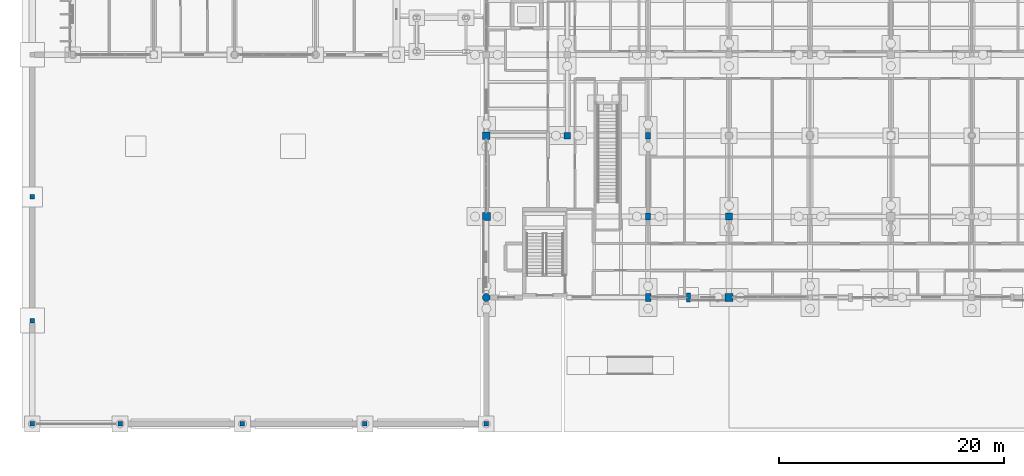
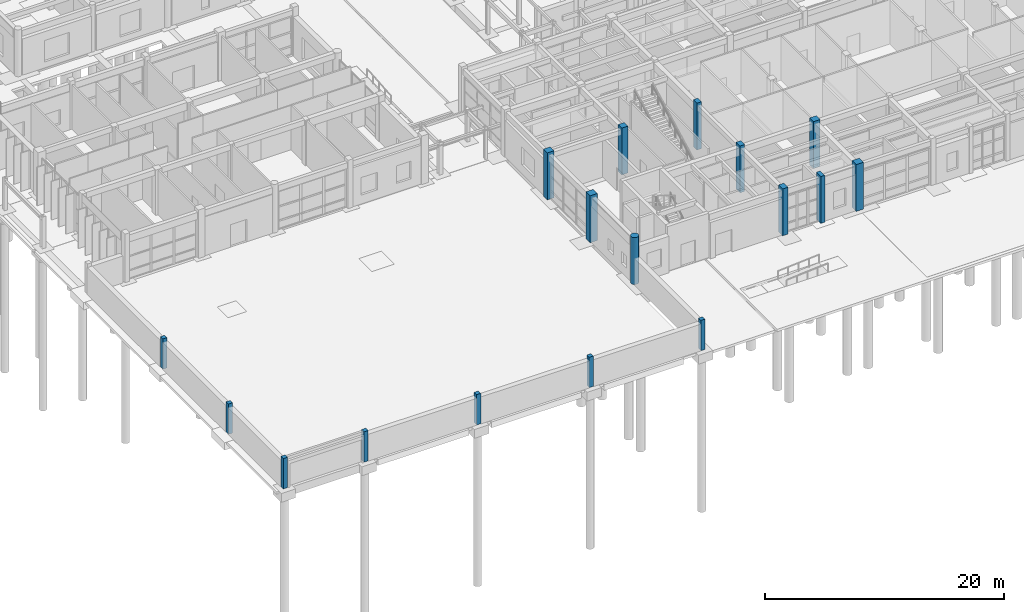
# One storey, part 14 of 143: 17 columns.
"""IFC4 building model written with IfcOpenShell, lengths in metres."""

import ifcopenshell
import ifcopenshell.guid

model = None  # the IFC model being written
_history = None  # IfcOwnerHistory: only IFC2X3 demands one
_inside = {}  # id of a spatial element -> (the spatial element, [elements in it])
_under = {}  # id of a project, library or spatial element -> (it, [spatial elements below it])
_declared = {}  # id of a project -> (the project, [libraries it declares])
_typed = {}  # id of a type object -> (the type object, [elements of that type])
_made_of = {}  # id of a material, layer set ... -> (it, [elements and type objects made of it])


def new_model(schema):
    """Start an empty IFC model of exactly this schema.

    Asked for "IFC4X3", IfcOpenShell would pick the latest addendum, in which some entities
    have other attributes; the version numbers below select the first issue.
    IFC2X3 requires an IfcOwnerHistory on every rooted entity: one is made here for all.
    """
    global model, _history
    if schema == "IFC4X3":
        model = ifcopenshell.file(schema_version=(4, 3, 0, 0))
    else:
        model = ifcopenshell.file(schema=schema)
    _inside.clear()
    _under.clear()
    _declared.clear()
    _typed.clear()
    _made_of.clear()
    _history = None
    if model.schema == "IFC2X3":
        org = make("IfcOrganization", Name="unknown")
        user = make(
            "IfcPersonAndOrganization",
            ThePerson=make("IfcPerson", FamilyName="unknown"),
            TheOrganization=org,
        )
        app = make(
            "IfcApplication",
            ApplicationDeveloper=org,
            Version="unknown",
            ApplicationFullName="unknown",
            ApplicationIdentifier="unknown",
        )
        _history = make(
            "IfcOwnerHistory",
            OwningUser=user,
            OwningApplication=app,
            ChangeAction="ADDED",
            CreationDate=0,
        )
    return model


def make(cls, **values):
    """One entity of the class cls with the attributes given. An attribute that is None is left unset."""
    return model.create_entity(
        cls, **{name: value for name, value in values.items() if value is not None}
    )


def rooted(cls, **values):
    """An entity with a GlobalId (a new one), such as an element, a storey or a relation."""
    return make(cls, GlobalId=ifcopenshell.guid.new(), OwnerHistory=_history, **values)


def si_unit(unit_type, name, prefix=None):
    """IfcSIUnit, for example si_unit("LENGTHUNIT", "METRE", prefix="MILLI")."""
    return make("IfcSIUnit", UnitType=unit_type, Prefix=prefix, Name=name)


def assignment(units):
    """IfcUnitAssignment: the units of a project."""
    return None if units is None else make("IfcUnitAssignment", Units=units)


def point(xyz):
    """IfcCartesianPoint."""
    return None if xyz is None else make("IfcCartesianPoint", Coordinates=xyz)


def direction(xyz):
    """IfcDirection."""
    return None if xyz is None else make("IfcDirection", DirectionRatios=xyz)


def frame(location, z_axis=None, x_axis=None):
    """IfcAxis2Placement3D, a coordinate frame: its origin and axes. An axis left out is left unset."""
    return make(
        "IfcAxis2Placement3D",
        Location=point(location),
        Axis=direction(z_axis),
        RefDirection=direction(x_axis),
    )


def frame_2d(location, x_axis=None):
    """IfcAxis2Placement2D, a coordinate frame in the plane: its origin and x axis."""
    return make(
        "IfcAxis2Placement2D", Location=point(location), RefDirection=direction(x_axis)
    )


def origin():
    """The frame at (0, 0, 0) with its axes left unset."""
    return frame((0.0, 0.0, 0.0))


def origin_2d():
    """The frame at (0, 0) in the plane with its x axis left unset."""
    return frame_2d((0.0, 0.0))


def place(relative_to, where):
    """IfcLocalPlacement: puts the frame where relative to a parent placement (None: the world)."""
    return make(
        "IfcLocalPlacement", PlacementRelTo=relative_to, RelativePlacement=where
    )


def context(
    kind, dimensions, precision=None, world=None, true_north=None, identifier=None
):
    """IfcGeometricRepresentationContext, for example the 3D "Model" context."""
    return make(
        "IfcGeometricRepresentationContext",
        ContextIdentifier=identifier,
        ContextType=kind,
        CoordinateSpaceDimension=dimensions,
        Precision=precision,
        WorldCoordinateSystem=world,
        TrueNorth=true_north,
    )


def subcontext(parent, identifier, kind, view, scale=None):
    """IfcGeometricRepresentationSubContext, for example "Body" below "Model"."""
    return make(
        "IfcGeometricRepresentationSubContext",
        ContextIdentifier=identifier,
        ContextType=kind,
        ParentContext=parent,
        TargetScale=scale,
        TargetView=view,
    )


def project(units=None, contexts=None):
    """IfcProject with its units and contexts."""
    return rooted(
        "IfcProject",
        Name="project",
        RepresentationContexts=contexts,
        UnitsInContext=assignment(units),
    )


def spatial(cls, under=None, at=None, **own):
    """A site, building, storey or space (cls), placed at a placement, below another one or the project."""
    s = rooted(cls, ObjectPlacement=at, **own)
    if under is not None:
        _under.setdefault(under.id(), (under, []))[1].append(s)
    return s


def profile(cls, at=None, kind="AREA", **sizes):
    """A parametric profile (cls). Its sizes go by their IFC names, for example OverallWidth=200.0."""
    return make(cls, ProfileType=kind, Position=at, **sizes)


def rectangle(**sizes):
    """IfcRectangleProfileDef."""
    return profile("IfcRectangleProfileDef", **sizes)


def circle(**sizes):
    """IfcCircleProfileDef."""
    return profile("IfcCircleProfileDef", **sizes)


def extrude(swept, where, along, depth):
    """IfcExtrudedAreaSolid: the profile swept, set in the frame where, extruded along a direction by depth."""
    return make(
        "IfcExtrudedAreaSolid",
        SweptArea=swept,
        Position=where,
        ExtrudedDirection=direction(along),
        Depth=depth,
    )


def shape(context_of_items, identifier, shape_type, items):
    """IfcShapeRepresentation: the items that make up one representation, for example the "Body"."""
    return make(
        "IfcShapeRepresentation",
        ContextOfItems=context_of_items,
        RepresentationIdentifier=identifier,
        RepresentationType=shape_type,
        Items=items,
    )


def material(Name=None, Category=None):
    """IfcMaterial."""
    return make("IfcMaterial", Name=Name, Category=Category)


def material_profile(
    of_material, cross_section, Name=None, Category=None, Priority=None
):
    """IfcMaterialProfile: a cross section and its material."""
    return make(
        "IfcMaterialProfile",
        Name=Name,
        Material=of_material,
        Profile=cross_section,
        Priority=Priority,
        Category=Category,
    )


def profile_set(profiles, Name=None, composite=None):
    """IfcMaterialProfileSet."""
    return make(
        "IfcMaterialProfileSet",
        Name=Name,
        MaterialProfiles=profiles,
        CompositeProfile=composite,
    )


def made_of(thing, what):
    """Note that an element or type object is made of a material, layer set ...; save() writes the relation."""
    if what is not None:
        _made_of.setdefault(what.id(), (what, []))[1].append(thing)
    return thing


def type_object(cls, material=None, **own):
    """A type object (cls), such as IfcWallType, which elements share."""
    return made_of(rooted(cls, **own), material)


def element(
    cls,
    number,
    at=None,
    inside=None,
    cuts=None,
    type_object=None,
    material=None,
    context=None,
    identifier="Body",
    shape_type=None,
    held_by="IfcProductDefinitionShape",
    body=None,
    shapes=None,
    **own,
):
    """One element of the class cls, such as IfcWall. Its Tag is "e" and its number.

    at: its placement. inside: the storey or other place that contains it. cuts: it is an
    opening in that element (IfcRelVoidsElement). A single representation is given by context,
    identifier, shape_type and body (its items); several are given by shapes. held_by: the class
    of the entity that holds the representations. save() writes the other relations.
    """
    e = rooted(cls, Tag="e%d" % number, ObjectPlacement=at, **own)
    if body is not None:
        shapes = [shape(context, identifier, shape_type, body)]
    if shapes is not None:
        e.Representation = make(held_by, Representations=shapes)
    if inside is not None:
        _inside.setdefault(inside.id(), (inside, []))[1].append(e)
    if cuts is not None:
        rooted(
            "IfcRelVoidsElement", RelatingBuildingElement=cuts, RelatedOpeningElement=e
        )
    if type_object is not None:
        _typed.setdefault(type_object.id(), (type_object, []))[1].append(e)
    return made_of(e, material)


def aggregate(whole, parts):
    """IfcRelAggregates: a whole, such as a stair, and the parts it consists of."""
    return rooted("IfcRelAggregates", RelatingObject=whole, RelatedObjects=parts)


def save(model, path):
    """Write the relations noted so far, then the file.

    IfcRelAggregates (storeys below a building ...), IfcRelContainedInSpatialStructure (elements
    in a storey), IfcRelDefinesByType, IfcRelAssociatesMaterial and IfcRelDeclares: one each for
    every whole, place, type object, material and project.
    """
    for whole, parts in _under.values():
        aggregate(whole, parts)
    for where, things in _inside.values():
        rooted(
            "IfcRelContainedInSpatialStructure",
            RelatedElements=things,
            RelatingStructure=where,
        )
    for kind, things in _typed.values():
        rooted("IfcRelDefinesByType", RelatedObjects=things, RelatingType=kind)
    for what, things in _made_of.values():
        rooted("IfcRelAssociatesMaterial", RelatedObjects=things, RelatingMaterial=what)
    for by, libraries in _declared.values():
        rooted("IfcRelDeclares", RelatingContext=by, RelatedDefinitions=libraries)
    model.write(path)


model = new_model("IFC4")

# Units and contexts
model_context = context("Model", 3, precision=1e-05, world=origin(), true_north=direction((0.0, 1.0)))
body_context = subcontext(model_context, "Body", "Model", "MODEL_VIEW")
ifc_project = project(units=[si_unit("LENGTHUNIT", "METRE"), si_unit("AREAUNIT", "SQUARE_METRE"), si_unit("VOLUMEUNIT", "CUBIC_METRE"), si_unit("PLANEANGLEUNIT", "RADIAN"), si_unit("MASSUNIT", "GRAM", prefix="KILO")], contexts=[model_context])

# Site, building, storey
site_placement = place(None, origin())
site = spatial("IfcSite", under=ifc_project, at=site_placement, CompositionType="ELEMENT")
building_placement = place(site_placement, origin())
building = spatial("IfcBuilding", under=site, at=building_placement, Name="Steenspoor Specialist Clinic", CompositionType="ELEMENT")
storey_placement = place(building_placement, origin())
storey = spatial("IfcBuildingStorey", under=building, at=storey_placement, Name="L00", CompositionType="ELEMENT", Elevation=0.0)

# Columns
ifc_material = material(Name="Concrete C40/50", Category="concrete")
ifc_material_profile_1 = material_profile(ifc_material, rectangle(XDim=0.39990234375, YDim=0.39990234375, at=origin_2d()), Name="RC-COL-400X400")
ifc_profile_set_1 = profile_set([ifc_material_profile_1], Name="Concrete C40/50")
column_type_1 = type_object("IfcColumnType", Name="COL-RC-400", PredefinedType="COLUMN", material=ifc_profile_set_1)
for number, where, z_axis, x_axis, name in (
    (1, (4.800048828125, 22.0, 0.0), (0.0, 0.0, 1.0), (1.0, 0.0, 0.0), "Campus Screen Wall Pier 02"),
    (2, (4.800048828125, 11.0, 0.0), (0.0, 0.0, 1.0), (1.0, 0.0, 0.0), "Campus Screen Wall Pier 03"),
    (3, (4.800048828125, 1.800048828125, 0.0), (0.0, 0.0, 1.0), (1.0, 0.0, 0.0), "Campus Screen Wall Pier 04"),
    (4, (12.60009765625, 1.800048828125, 0.0), (0.0, 0.0, 1.0), (1.0, 0.0, 0.0), "Campus Screen Wall Pier 05"),
    (5, (23.5, 1.800048828125, 0.0), (0.0, 0.0, 1.0), (1.0, 0.0, 0.0), "Campus Screen Wall Pier 06"),
    (6, (34.39990234375, 1.800048828125, 0.0), (0.0, 0.0, 1.0), (1.0, 0.0, 0.0), "Campus Screen Wall Pier 07"),
    (7, (45.199951171875, 1.800048828125, 0.0), (0.0, 0.0, 1.0), (1.0, 0.0, 0.0), "Campus Screen Wall Pier 08"),
):
    element("IfcColumn", number, at=place(storey_placement, frame(where, z_axis=z_axis, x_axis=x_axis)), inside=storey, type_object=column_type_1, Name=name, PredefinedType="COLUMN", context=body_context, shape_type="SweptSolid", body=[
        extrude(rectangle(XDim=0.39990234375, YDim=0.39990234375, at=origin_2d()), origin(), (0.0, 0.0, 1.0), 3.10009765625),
    ])
ifc_material_profile_2 = material_profile(ifc_material, rectangle(XDim=0.449951171875, YDim=0.60009765625, at=origin_2d()), Name="RC-COL-450X600")
ifc_profile_set_2 = profile_set([ifc_material_profile_2], Name="Concrete C40/50")
column_type_2 = type_object("IfcColumnType", Name="COL-RC-450X600", PredefinedType="COLUMN", material=ifc_profile_set_2)
column_1_placement = place(storey_placement, frame((59.60009765625, 27.449951171875, 0.0), z_axis=(0.0, 0.0, 1.0), x_axis=(1.0, 0.0, 0.0)))
element("IfcColumn", 8, at=column_1_placement, inside=storey, type_object=column_type_2, Name="Column COL-L00-0021", PredefinedType="COLUMN", context=body_context, shape_type="SweptSolid", body=[
    extrude(rectangle(XDim=0.449951171875, YDim=0.60009765625, at=origin_2d()), origin(), (0.0, 0.0, 1.0), 4.800048828125),
])
ifc_material_profile_3 = material_profile(ifc_material, rectangle(XDim=0.449951171875, YDim=0.64990234375, at=origin_2d()), Name="RC-COL-450X650")
ifc_profile_set_3 = profile_set([ifc_material_profile_3], Name="Concrete C40/50")
column_type_3 = type_object("IfcColumnType", Name="COL-RC-450X650", PredefinedType="COLUMN", material=ifc_profile_set_3)
column_2_placement = place(storey_placement, frame((59.60009765625, 20.25, 0.0), z_axis=(0.0, 0.0, 1.0), x_axis=(1.0, 0.0, 0.0)))
element("IfcColumn", 9, at=column_2_placement, inside=storey, type_object=column_type_3, Name="Column COL-L00-0019", PredefinedType="COLUMN", context=body_context, shape_type="SweptSolid", body=[
    extrude(rectangle(XDim=0.449951171875, YDim=0.64990234375, at=origin_2d()), origin(), (0.0, 0.0, 1.0), 4.800048828125),
])
ifc_material_profile_4 = material_profile(ifc_material, rectangle(XDim=0.5, YDim=0.699951171875, at=origin_2d()), Name="RC-COL-500X700")
ifc_profile_set_4 = profile_set([ifc_material_profile_4], Name="Concrete C40/50")
column_type_4 = type_object("IfcColumnType", Name="COL-RC-500X700", PredefinedType="COLUMN", material=ifc_profile_set_4)
column_3_placement = place(storey_placement, frame((59.60009765625, 13.050048828125, 0.0), z_axis=(0.0, 0.0, 1.0), x_axis=(1.0, 0.0, 0.0)))
element("IfcColumn", 10, at=column_3_placement, inside=storey, type_object=column_type_4, Name="Column COL-L00-0017", PredefinedType="COLUMN", context=body_context, shape_type="SweptSolid", body=[
    extrude(rectangle(XDim=0.5, YDim=0.699951171875, at=origin_2d()), origin(), (0.0, 0.0, 1.0), 4.800048828125),
])
ifc_material_profile_5 = material_profile(ifc_material, rectangle(XDim=0.60009765625, YDim=0.60009765625, at=origin_2d()), Name="RC-COL-600X600")
ifc_profile_set_5 = profile_set([ifc_material_profile_5], Name="Concrete C40/50")
column_type_5 = type_object("IfcColumnType", Name="COL-RC-600", PredefinedType="COLUMN", material=ifc_profile_set_5)
column_4_placement = place(storey_placement, frame((52.39990234375, 27.449951171875, 0.0), z_axis=(0.0, 0.0, 1.0), x_axis=(1.0, 0.0, 0.0)))
element("IfcColumn", 11, at=column_4_placement, inside=storey, type_object=column_type_5, Name="Column COL-L00-0011", PredefinedType="COLUMN", context=body_context, shape_type="SweptSolid", body=[
    extrude(rectangle(XDim=0.60009765625, YDim=0.60009765625, at=origin_2d()), origin(), (0.0, 0.0, 1.0), 4.800048828125),
])
ifc_material_profile_6 = material_profile(ifc_material, rectangle(XDim=0.64990234375, YDim=0.64990234375, at=origin_2d()), Name="RC-COL-650X650")
ifc_profile_set_6 = profile_set([ifc_material_profile_6], Name="Concrete C40/50")
column_type_6 = type_object("IfcColumnType", Name="COL-RC-650", PredefinedType="COLUMN", material=ifc_profile_set_6)
for number, where, z_axis, x_axis, name in (
    (12, (45.199951171875, 27.449951171875, 0.0), (0.0, 0.0, 1.0), (1.0, 0.0, 0.0), "Column COL-L00-0005"),
    (13, (66.800048828125, 20.25, 0.0), (0.0, 0.0, 1.0), (1.0, 0.0, 0.0), "Column COL-L00-0029"),
):
    element("IfcColumn", number, at=place(storey_placement, frame(where, z_axis=z_axis, x_axis=x_axis)), inside=storey, type_object=column_type_6, Name=name, PredefinedType="COLUMN", context=body_context, shape_type="SweptSolid", body=[
        extrude(rectangle(XDim=0.64990234375, YDim=0.64990234375, at=origin_2d()), origin(), (0.0, 0.0, 1.0), 4.800048828125),
    ])
ifc_material_profile_7 = material_profile(ifc_material, rectangle(XDim=0.699951171875, YDim=0.699951171875, at=origin_2d()), Name="RC-COL-700X700")
ifc_profile_set_7 = profile_set([ifc_material_profile_7], Name="Concrete C40/50")
column_type_7 = type_object("IfcColumnType", Name="COL-RC-700", PredefinedType="COLUMN", material=ifc_profile_set_7)
for number, where, z_axis, x_axis, name in (
    (14, (45.199951171875, 20.25, 0.0), (0.0, 0.0, 1.0), (1.0, 0.0, 0.0), "Column COL-L00-0003"),
    (15, (66.800048828125, 13.050048828125, 0.0), (0.0, 0.0, 1.0), (1.0, 0.0, 0.0), "Column COL-L00-0027"),
):
    element("IfcColumn", number, at=place(storey_placement, frame(where, z_axis=z_axis, x_axis=x_axis)), inside=storey, type_object=column_type_7, Name=name, PredefinedType="COLUMN", context=body_context, shape_type="SweptSolid", body=[
        extrude(rectangle(XDim=0.699951171875, YDim=0.699951171875, at=origin_2d()), origin(), (0.0, 0.0, 1.0), 4.800048828125),
    ])
ifc_material_profile_8 = material_profile(ifc_material, circle(Radius=0.35009765625, at=origin_2d()), Name="RC-COL-D700")
ifc_profile_set_8 = profile_set([ifc_material_profile_8], Name="Concrete C40/50")
column_type_8 = type_object("IfcColumnType", Name="COL-RC-D700", PredefinedType="COLUMN", material=ifc_profile_set_8)
column_5_placement = place(storey_placement, frame((45.199951171875, 13.050048828125, 0.0), z_axis=(0.0, 0.0, 1.0), x_axis=(1.0, 0.0, 0.0)))
element("IfcColumn", 16, at=column_5_placement, inside=storey, type_object=column_type_8, Name="Column COL-L00-0001", PredefinedType="COLUMN", context=body_context, shape_type="SweptSolid", body=[
    extrude(circle(Radius=0.35009765625, at=origin_2d()), origin(), (0.0, 0.0, 1.0), 4.800048828125),
])
ifc_material_profile_9 = material_profile(ifc_material, rectangle(XDim=0.3798828125, YDim=0.760009765625, at=origin_2d()), Name="RC-PIL-380X760")
ifc_profile_set_9 = profile_set([ifc_material_profile_9], Name="Concrete C40/50")
column_type_9 = type_object("IfcColumnType", Name="PIL-RC-380X760", PredefinedType="PILASTER", material=ifc_profile_set_9)
column_6_placement = place(storey_placement, frame((63.199951171875, 13.050048828125, 0.0), z_axis=(0.0, 0.0, 1.0), x_axis=(1.0, 0.0, 0.0)))
element("IfcColumn", 17, at=column_6_placement, inside=storey, type_object=column_type_9, Name="Brick Pilaster PIL-L00-001", PredefinedType="PILASTER", context=body_context, shape_type="SweptSolid", body=[
    extrude(rectangle(XDim=0.3798828125, YDim=0.760009765625, at=origin_2d()), origin(), (0.0, 0.0, 1.0), 4.800048828125),
])

save(model, "model.ifc")
